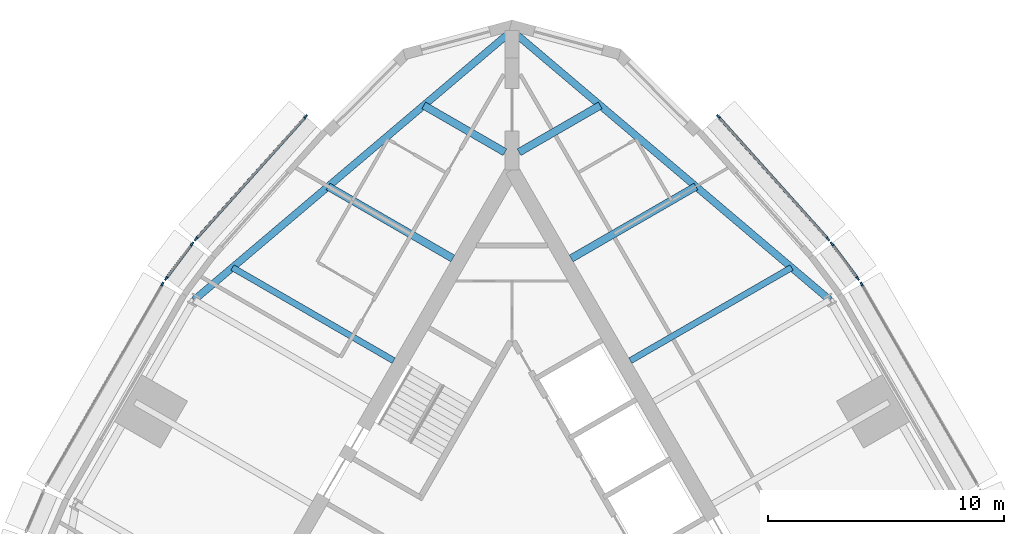
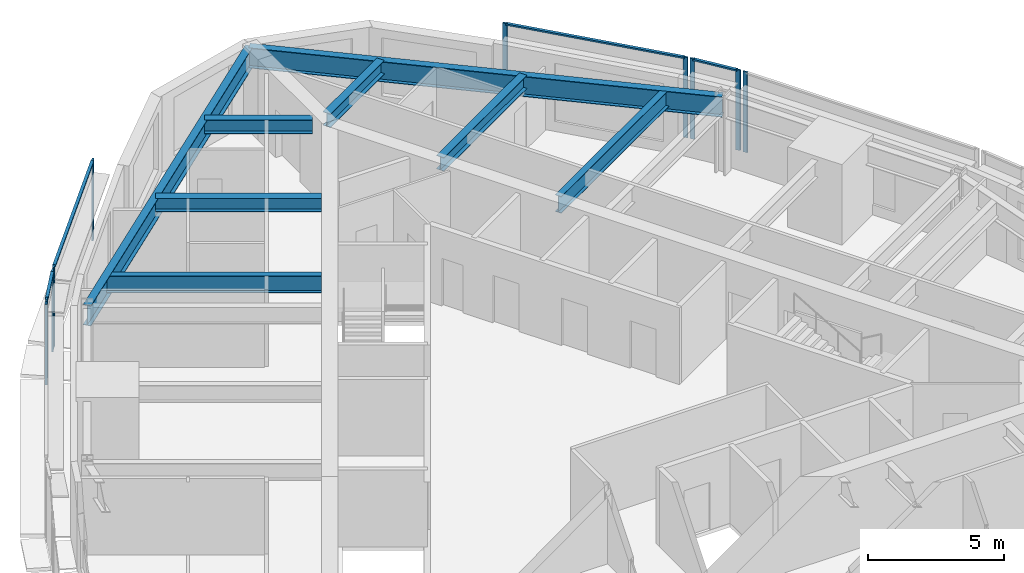
# One storey, part 5 of 12: 14 members, 8 beams, 6 elements without a shape of their own.
"""IFC4 building model written with IfcOpenShell, lengths in metres."""

from ifc_helpers import new_model, si_unit, direction, frame, origin, origin_2d, place, context, subcontext, project, spatial, rectangle, i_section, extrude, material, material_profile, profile_set, type_object, element, aggregate, save


model = new_model("IFC4")

# Units and contexts
model_context = context("Model", 3, precision=1e-05, world=origin(), true_north=direction((0.0, 1.0)))
body_context = subcontext(model_context, "Body", "Model", "MODEL_VIEW")
ifc_project = project(units=[si_unit("LENGTHUNIT", "METRE"), si_unit("AREAUNIT", "SQUARE_METRE"), si_unit("VOLUMEUNIT", "CUBIC_METRE"), si_unit("PLANEANGLEUNIT", "RADIAN"), si_unit("MASSUNIT", "GRAM", prefix="KILO")], contexts=[model_context])

# Site, building, storey
site_placement = place(None, origin())
site = spatial("IfcSite", under=ifc_project, at=site_placement, CompositionType="ELEMENT")
building_placement = place(site_placement, origin())
building = spatial("IfcBuilding", under=site, at=building_placement, Name="Trikona Tower", CompositionType="ELEMENT")
storey_placement = place(building_placement, frame((0.0, 0.0, 264.5)))
storey = spatial("IfcBuildingStorey", under=building, at=storey_placement, Name="L70", CompositionType="ELEMENT", Elevation=264.5)

# Curtain wall, member
ifc_material_1 = material(Name="Aluminium curtain wall system", Category="aluminium")
curtain_wall_type = type_object("IfcCurtainWallType", Name="Curtain wall DS3", PredefinedType="NOTDEFINED", material=ifc_material_1)
curtain_wall_1_placement = place(storey_placement, origin())
curtain_wall_1 = element("IfcCurtainWall", 1, at=curtain_wall_1_placement, inside=storey, type_object=curtain_wall_type, Name="Curtain wall DS3 L70", PredefinedType="NOTDEFINED")
ifc_material_2 = material(Name="Aluminium mullion, pale anodised", Category="aluminium")
ifc_material_profile_1 = material_profile(ifc_material_2, rectangle(XDim=0.070068359375, YDim=0.179931640625, at=origin_2d()), Name="MUL-DS3")
ifc_profile_set_1 = profile_set([ifc_material_profile_1], Name="Aluminium mullion, pale anodised")
member_type_1 = type_object("IfcMemberType", Name="Mullion DS3 70x180", PredefinedType="MULLION", material=ifc_profile_set_1)
member_1_placement = place(storey_placement, frame((14.807861328125, 14.213134765625, 0.0), z_axis=(0.0, 0.0, 1.0), x_axis=(-0.866024619633, -0.500001358187, 0.0)))
member_1 = element("IfcMember", 2, at=member_1_placement, type_object=member_type_1, Name="CW-DS3 mullion 2", PredefinedType="MULLION", context=body_context, shape_type="SweptSolid", body=[
    extrude(rectangle(XDim=0.070068359375, YDim=0.179931640625, at=origin_2d()), origin(), (0.0, 0.0, 1.0), 3.60009765625),
])
aggregate(curtain_wall_1, [member_1])

# Curtain wall, members
curtain_wall_2_placement = place(storey_placement, origin())
curtain_wall_2 = element("IfcCurtainWall", 3, at=curtain_wall_2_placement, inside=storey, type_object=curtain_wall_type, Name="Curtain wall DS3 L70", PredefinedType="NOTDEFINED")
member_2_placement = place(storey_placement, frame((14.644287109375, 14.461181640625, 0.0), z_axis=(0.0, 0.0, 1.0), x_axis=(-0.800259657055, -0.599653634435, 0.0)))
member_2 = element("IfcMember", 4, at=member_2_placement, type_object=member_type_1, Name="CW-DS3 mullion 1", PredefinedType="MULLION", context=body_context, shape_type="SweptSolid", body=[
    extrude(rectangle(XDim=0.070068359375, YDim=0.179931640625, at=origin_2d()), origin(), (0.0, 0.0, 1.0), 3.60009765625),
])
member_3_placement = place(storey_placement, frame((13.55029296875, 15.9208984375, 0.0), z_axis=(0.0, 0.0, 1.0), x_axis=(-0.800259657055, -0.599653634435, 0.0)))
member_3 = element("IfcMember", 5, at=member_3_placement, type_object=member_type_1, Name="CW-DS3 mullion 2", PredefinedType="MULLION", context=body_context, shape_type="SweptSolid", body=[
    extrude(rectangle(XDim=0.070068359375, YDim=0.179931640625, at=origin_2d()), origin(), (0.0, 0.0, 1.0), 3.60009765625),
])

curtain_wall_3_placement = place(storey_placement, origin())
curtain_wall_3 = element("IfcCurtainWall", 6, at=curtain_wall_3_placement, inside=storey, type_object=curtain_wall_type, Name="Curtain wall DS3 L70", PredefinedType="NOTDEFINED")
member_4_placement = place(storey_placement, frame((13.380126953125, 16.128662109375, 0.0), z_axis=(0.0, 0.0, 1.0), x_axis=(-0.744771436797, -0.667319643748, 0.0)))
member_4 = element("IfcMember", 7, at=member_4_placement, type_object=member_type_1, Name="CW-DS3 mullion 1", PredefinedType="MULLION", context=body_context, shape_type="SweptSolid", body=[
    extrude(rectangle(XDim=0.070068359375, YDim=0.179931640625, at=origin_2d()), origin(), (0.0, 0.0, 1.0), 3.60009765625),
])
member_5_placement = place(storey_placement, frame((8.733642578125, 21.314453125, 0.0), z_axis=(0.0, 0.0, 1.0), x_axis=(-0.744771436797, -0.667319643748, 0.0)))
member_5 = element("IfcMember", 8, at=member_5_placement, type_object=member_type_1, Name="CW-DS3 mullion 2", PredefinedType="MULLION", context=body_context, shape_type="SweptSolid", body=[
    extrude(rectangle(XDim=0.070068359375, YDim=0.179931640625, at=origin_2d()), origin(), (0.0, 0.0, 1.0), 3.60009765625),
])

curtain_wall_4_placement = place(storey_placement, origin())
curtain_wall_4 = element("IfcCurtainWall", 9, at=curtain_wall_4_placement, inside=storey, type_object=curtain_wall_type, Name="Curtain wall DS3 L70", PredefinedType="NOTDEFINED")
member_6_placement = place(storey_placement, frame((-8.733642578125, 21.314453125, 0.0), z_axis=(0.0, 0.0, 1.0), x_axis=(0.744771436797, -0.667319643748, 0.0)))
member_6 = element("IfcMember", 10, at=member_6_placement, type_object=member_type_1, Name="CW-DS3 mullion 1", PredefinedType="MULLION", context=body_context, shape_type="SweptSolid", body=[
    extrude(rectangle(XDim=0.070068359375, YDim=0.179931640625, at=origin_2d()), origin(), (0.0, 0.0, 1.0), 3.60009765625),
])
member_7_placement = place(storey_placement, frame((-13.380126953125, 16.128662109375, 0.0), z_axis=(0.0, 0.0, 1.0), x_axis=(0.744771436797, -0.667319643748, 0.0)))
member_7 = element("IfcMember", 11, at=member_7_placement, type_object=member_type_1, Name="CW-DS3 mullion 2", PredefinedType="MULLION", context=body_context, shape_type="SweptSolid", body=[
    extrude(rectangle(XDim=0.070068359375, YDim=0.179931640625, at=origin_2d()), origin(), (0.0, 0.0, 1.0), 3.60009765625),
])

curtain_wall_5_placement = place(storey_placement, origin())
curtain_wall_5 = element("IfcCurtainWall", 12, at=curtain_wall_5_placement, inside=storey, type_object=curtain_wall_type, Name="Curtain wall DS3 L70", PredefinedType="NOTDEFINED")
member_8_placement = place(storey_placement, frame((-13.55029296875, 15.9208984375, 0.0), z_axis=(0.0, 0.0, 1.0), x_axis=(0.800259657055, -0.599653634435, 0.0)))
member_8 = element("IfcMember", 13, at=member_8_placement, type_object=member_type_1, Name="CW-DS3 mullion 1", PredefinedType="MULLION", context=body_context, shape_type="SweptSolid", body=[
    extrude(rectangle(XDim=0.070068359375, YDim=0.179931640625, at=origin_2d()), origin(), (0.0, 0.0, 1.0), 3.60009765625),
])
member_9_placement = place(storey_placement, frame((-14.644287109375, 14.461181640625, 0.0), z_axis=(0.0, 0.0, 1.0), x_axis=(0.800259657055, -0.599653634435, 0.0)))
member_9 = element("IfcMember", 14, at=member_9_placement, type_object=member_type_1, Name="CW-DS3 mullion 2", PredefinedType="MULLION", context=body_context, shape_type="SweptSolid", body=[
    extrude(rectangle(XDim=0.070068359375, YDim=0.179931640625, at=origin_2d()), origin(), (0.0, 0.0, 1.0), 3.60009765625),
])

# Curtain wall, member
curtain_wall_6_placement = place(storey_placement, origin())
curtain_wall_6 = element("IfcCurtainWall", 15, at=curtain_wall_6_placement, inside=storey, type_object=curtain_wall_type, Name="Curtain wall DS3 L70", PredefinedType="NOTDEFINED")
member_10_placement = place(storey_placement, frame((-14.807861328125, 14.213134765625, 0.0), z_axis=(0.0, 0.0, 1.0), x_axis=(0.866024619633, -0.500001358187, 0.0)))
member_10 = element("IfcMember", 16, at=member_10_placement, type_object=member_type_1, Name="CW-DS3 mullion 1", PredefinedType="MULLION", context=body_context, shape_type="SweptSolid", body=[
    extrude(rectangle(XDim=0.070068359375, YDim=0.179931640625, at=origin_2d()), origin(), (0.0, 0.0, 1.0), 3.60009765625),
])
aggregate(curtain_wall_6, [member_10])

# Beams
ifc_material_3 = material(Name="Steel ASTM A992 Grade 50", Category="steel")
ifc_material_profile_2 = material_profile(ifc_material_3, i_section(OverallWidth=0.3251953125, OverallDepth=0.612060546875, WebThickness=0.0126953125, FlangeThickness=0.01904296875, at=origin_2d()), Name="W24X104")
ifc_profile_set_2 = profile_set([ifc_material_profile_2], Name="Steel ASTM A992 Grade 50")
beam_type_1 = type_object("IfcBeamType", Name="Steel beam W24x104 (wedge upper)", PredefinedType="BEAM", material=ifc_profile_set_2)
beam_1_placement = place(storey_placement, frame((2.509765625, 15.305419921875, 3.12890625), z_axis=(0.866023498866, 0.500003299401, 0.0), x_axis=(-0.500003299401, 0.866023498866, 0.0)))
element("IfcBeam", 17, at=beam_1_placement, inside=storey, type_object=beam_type_1, Name="Floor beam L71 F2 u12", PredefinedType="BEAM", context=body_context, shape_type="SweptSolid", body=[
    extrude(i_section(OverallWidth=0.3251953125, OverallDepth=0.612060546875, WebThickness=0.0126953125, FlangeThickness=0.01904296875, at=origin_2d()), origin(), (0.0, 0.0, 1.0), 6.09521484375),
])
for number, where, z_axis, x_axis, name in (
    (18, (0.300048828125, 19.802978515625, 3.12890625), (0.866004223388, 0.500036683728, 0.0), (-0.500036683728, 0.866004223388, 0.0), "Floor beam L71 F2 u17"),
    (19, (-0.300048828125, 19.802978515625, 3.12890625), (-0.866004223388, 0.500036683728, 0.0), (-0.500036683728, -0.866004223388, 0.0), "Floor beam L71 F3 u-17"),
):
    element("IfcBeam", number, at=place(storey_placement, frame(where, z_axis=z_axis, x_axis=x_axis)), inside=storey, type_object=beam_type_1, Name=name, PredefinedType="BEAM", context=body_context, shape_type="SweptSolid", body=[
        extrude(i_section(OverallWidth=0.3251953125, OverallDepth=0.612060546875, WebThickness=0.0126953125, FlangeThickness=0.01904296875, at=origin_2d()), origin(), (0.0, 0.0, 1.0), 3.968017578125),
    ])
beam_2_placement = place(storey_placement, frame((-2.509765625, 15.305419921875, 3.12890625), z_axis=(-0.866023498866, 0.500003299401, 0.0), x_axis=(-0.500003299401, -0.866023498866, 0.0)))
element("IfcBeam", 20, at=beam_2_placement, inside=storey, type_object=beam_type_1, Name="Floor beam L71 F3 u-12", PredefinedType="BEAM", context=body_context, shape_type="SweptSolid", body=[
    extrude(i_section(OverallWidth=0.3251953125, OverallDepth=0.612060546875, WebThickness=0.0126953125, FlangeThickness=0.01904296875, at=origin_2d()), origin(), (0.0, 0.0, 1.0), 6.09521484375),
])
ifc_material_4 = material(Name="Steel ASTM A992 Grade 50", Category="steel")
ifc_material_profile_3 = material_profile(ifc_material_4, i_section(OverallWidth=0.2666015625, OverallDepth=0.7568359375, WebThickness=0.013916015625, FlangeThickness=0.019287109375, at=origin_2d()), Name="W30X108")
ifc_profile_set_3 = profile_set([ifc_material_profile_3], Name="Steel ASTM A992 Grade 50")
beam_type_2 = type_object("IfcBeamType", Name="Steel beam W30x108 (radial upper)", PredefinedType="BEAM", material=ifc_profile_set_3)
for number, where, z_axis, x_axis, name in (
    (21, (5.009765625, 10.975341796875, 3.056396484375), (0.866034560358, 0.499984140014, 0.0), (-0.499984140014, 0.866034560358, 0.0), "Floor beam L71 F2 u7"),
    (22, (-5.009765625, 10.975341796875, 3.056396484375), (-0.866034560358, 0.499984140014, 0.0), (-0.499984140014, -0.866034560358, 0.0), "Floor beam L71 F3 u-7"),
):
    element("IfcBeam", number, at=place(storey_placement, frame(where, z_axis=z_axis, x_axis=x_axis)), inside=storey, type_object=beam_type_2, Name=name, PredefinedType="BEAM", context=body_context, shape_type="SweptSolid", body=[
        extrude(i_section(OverallWidth=0.2666015625, OverallDepth=0.7568359375, WebThickness=0.013916015625, FlangeThickness=0.019287109375, at=origin_2d()), origin(), (0.0, 0.0, 1.0), 7.887451171875),
    ])
ifc_material_5 = material(Name="Steel ASTM A992 Grade 50", Category="steel")
ifc_material_profile_4 = material_profile(ifc_material_5, i_section(OverallWidth=0.3046875, OverallDepth=0.911865234375, WebThickness=0.015869140625, FlangeThickness=0.02392578125, at=origin_2d()), Name="W36X150")
ifc_profile_set_4 = profile_set([ifc_material_profile_4], Name="Steel ASTM A992 Grade 50")
beam_type_3 = type_object("IfcBeamType", Name="Steel beam W36x150 (spandrel upper)", PredefinedType="SPANDREL", material=ifc_profile_set_4)
for number, where, z_axis, x_axis, name in (
    (23, (13.461181640625, 13.54541015625, 2.97900390625), (-0.762890626803, 0.646527564405, 0.0), (-0.646527564405, -0.762890626803, 0.0), "Spandrel beam L71 F2-3"),
    (24, (0.0, 24.953369140625, 2.97900390625), (-0.762890626803, -0.646527564405, 0.0), (0.646527564405, -0.762890626803, 0.0), "Spandrel beam L71 F3-1"),
):
    element("IfcBeam", number, at=place(storey_placement, frame(where, z_axis=z_axis, x_axis=x_axis)), inside=storey, type_object=beam_type_3, Name=name, PredefinedType="SPANDREL", context=body_context, shape_type="SweptSolid", body=[
        extrude(i_section(OverallWidth=0.3046875, OverallDepth=0.911865234375, WebThickness=0.015869140625, FlangeThickness=0.02392578125, at=origin_2d()), origin(), (0.0, 0.0, 1.0), 17.64501953125),
    ])

# Member
ifc_material_6 = material(Name="Aluminium transom, pale anodised", Category="aluminium")
ifc_material_profile_5 = material_profile(ifc_material_6, rectangle(XDim=0.1201171875, YDim=0.070068359375, at=origin_2d()), Name="TRN-DS3")
ifc_profile_set_5 = profile_set([ifc_material_profile_5], Name="Aluminium transom, pale anodised")
member_type_2 = type_object("IfcMemberType", Name="Transom DS3 70x120", PredefinedType="USERDEFINED", material=ifc_profile_set_5)
member_11_placement = place(storey_placement, frame((14.623291015625, 14.489013671875, 3.56494140625), z_axis=(-0.599621429645, 0.80028378786, 0.0), x_axis=(-0.80028378786, -0.599621429645, 0.0)))
member_11 = element("IfcMember", 25, at=member_11_placement, type_object=member_type_2, Name="CW-DS3 transom 1.1", ObjectType="TRANSOM", PredefinedType="USERDEFINED", context=body_context, shape_type="SweptSolid", body=[
    extrude(rectangle(XDim=0.1201171875, YDim=0.070068359375, at=origin_2d()), origin(), (0.0, 0.0, 1.0), 1.75439453125),
])

aggregate(curtain_wall_2, [member_2, member_3, member_11])

member_12_placement = place(storey_placement, frame((13.356689453125, 16.15478515625, 3.56494140625), z_axis=(-0.667313410703, 0.744777021595, 0.0), x_axis=(-0.744777021595, -0.667313410703, 0.0)))
member_12 = element("IfcMember", 26, at=member_12_placement, type_object=member_type_2, Name="CW-DS3 transom 1.1", ObjectType="TRANSOM", PredefinedType="USERDEFINED", context=body_context, shape_type="SweptSolid", body=[
    extrude(rectangle(XDim=0.1201171875, YDim=0.070068359375, at=origin_2d()), origin(), (0.0, 0.0, 1.0), 6.892822265625),
])

aggregate(curtain_wall_3, [member_4, member_5, member_12])

member_13_placement = place(storey_placement, frame((-8.757080078125, 21.288330078125, 3.56494140625), z_axis=(-0.667313410703, -0.744777021595, 0.0), x_axis=(0.744777021595, -0.667313410703, 0.0)))
member_13 = element("IfcMember", 27, at=member_13_placement, type_object=member_type_2, Name="CW-DS3 transom 1.1", ObjectType="TRANSOM", PredefinedType="USERDEFINED", context=body_context, shape_type="SweptSolid", body=[
    extrude(rectangle(XDim=0.1201171875, YDim=0.070068359375, at=origin_2d()), origin(), (0.0, 0.0, 1.0), 6.892822265625),
])

aggregate(curtain_wall_4, [member_6, member_7, member_13])

member_14_placement = place(storey_placement, frame((-13.5712890625, 15.89306640625, 3.56494140625), z_axis=(-0.599621429645, -0.80028378786, 0.0), x_axis=(0.80028378786, -0.599621429645, 0.0)))
member_14 = element("IfcMember", 28, at=member_14_placement, type_object=member_type_2, Name="CW-DS3 transom 1.1", ObjectType="TRANSOM", PredefinedType="USERDEFINED", context=body_context, shape_type="SweptSolid", body=[
    extrude(rectangle(XDim=0.1201171875, YDim=0.070068359375, at=origin_2d()), origin(), (0.0, 0.0, 1.0), 1.75439453125),
])

aggregate(curtain_wall_5, [member_8, member_9, member_14])

save(model, "model.ifc")
